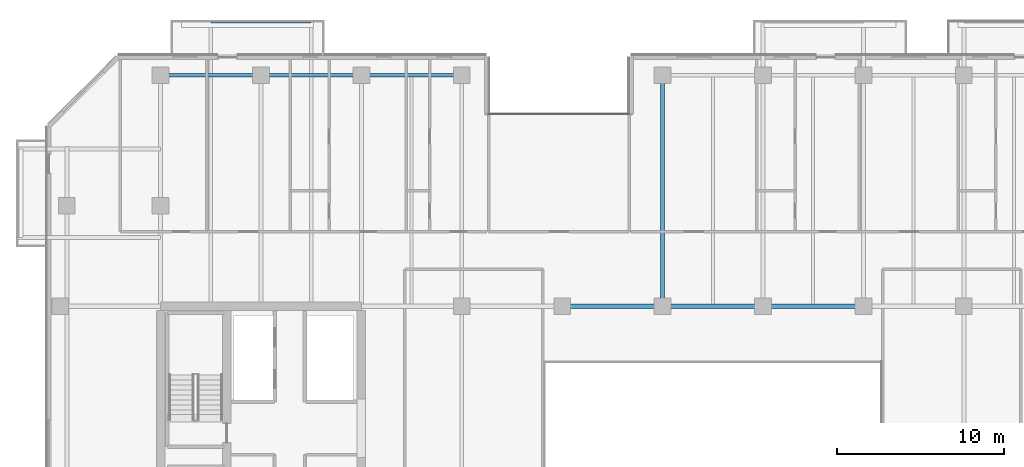
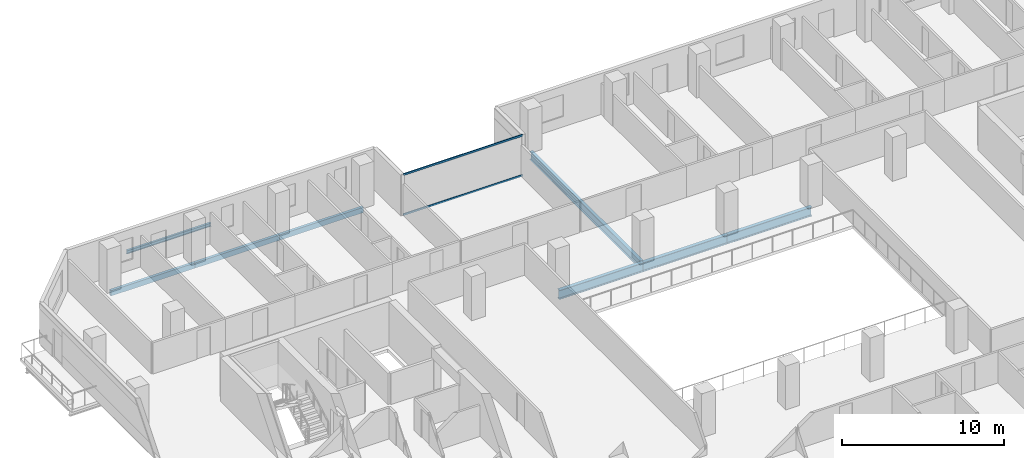
# One storey, part 7 of 23: 8 beams, 2 members, 1 element without a shape of its own.
"""IFC4 building model written with IfcOpenShell, lengths in metres."""

from ifc_helpers import new_model, si_unit, direction, frame, origin, origin_2d, place, context, subcontext, project, spatial, hollow_rectangle, i_section, extrude, material, layer, layer_set, material_profile, profile_set, type_object, element, aggregate, save


model = new_model("IFC4")

# Units and contexts
model_context = context("Model", 3, precision=1e-05, world=origin(), true_north=direction((0.0, 1.0)))
body_context = subcontext(model_context, "Body", "Model", "MODEL_VIEW")
ifc_project = project(units=[si_unit("LENGTHUNIT", "METRE"), si_unit("AREAUNIT", "SQUARE_METRE"), si_unit("VOLUMEUNIT", "CUBIC_METRE"), si_unit("PLANEANGLEUNIT", "RADIAN"), si_unit("MASSUNIT", "GRAM", prefix="KILO")], contexts=[model_context])

# Site, building, storey
site_placement = place(None, origin())
site = spatial("IfcSite", under=ifc_project, at=site_placement, CompositionType="ELEMENT")
building_placement = place(site_placement, origin())
building = spatial("IfcBuilding", under=site, at=building_placement, Name="Tanjung Sevakor Pilgrim Tower", CompositionType="ELEMENT")
storey_placement = place(building_placement, frame((0.0, 0.0, 101.969970703125)))
storey = spatial("IfcBuildingStorey", under=building, at=storey_placement, Name="L28", CompositionType="ELEMENT", Elevation=101.969970703125)

# Beams
ifc_material_1 = material(Name="Steel S355J2", Category="steel")
ifc_material_profile_1 = material_profile(ifc_material_1, i_section(OverallWidth=0.25439453125, OverallDepth=0.6875, WebThickness=0.01318359375, FlangeThickness=0.02099609375, FilletRadius=0.01513671875, at=origin_2d()))
ifc_profile_set_1 = profile_set([ifc_material_profile_1], Name="Steel S355J2")
beam_type_1 = type_object("IfcBeamType", Name="BM-B-G2-UB_686x254x152", PredefinedType="BEAM", material=ifc_profile_set_1)
for number, where, z_axis, x_axis, name in (
    (1, (48.0, 42.60009765625, -0.563720703125), (1.0, 0.0, 0.0), (0.0, 1.0, 0.0), "L28 Primary Floor Girder MAIN Y426-04"),
    (2, (54.0, 42.60009765625, -0.563720703125), (1.0, 0.0, 0.0), (0.0, 1.0, 0.0), "L28 Primary Floor Girder MAIN Y426-05"),
    (3, (60.0, 42.60009765625, -0.563720703125), (1.0, 0.0, 0.0), (0.0, 1.0, 0.0), "L28 Primary Floor Girder MAIN Y426-06"),
):
    element("IfcBeam", number, at=place(storey_placement, frame(where, z_axis=z_axis, x_axis=x_axis)), inside=storey, type_object=beam_type_1, Name=name, PredefinedType="BEAM", context=body_context, shape_type="SweptSolid", body=[
        extrude(i_section(OverallWidth=0.25439453125, OverallDepth=0.6875, WebThickness=0.01318359375, FlangeThickness=0.02099609375, FilletRadius=0.01513671875, at=origin_2d()), origin(), (0.0, 0.0, 1.0), 6.0),
    ])
ifc_material_2 = material(Name="Steel S355J2", Category="steel")
ifc_material_profile_2 = material_profile(ifc_material_2, i_section(OverallWidth=0.230224609375, OverallDepth=0.6171875, WebThickness=0.01318359375, FlangeThickness=0.022216796875, FilletRadius=0.0126953125, at=origin_2d()))
ifc_profile_set_2 = profile_set([ifc_material_profile_2], Name="Steel S355J2")
beam_type_2 = type_object("IfcBeamType", Name="BM-B-G3-UB_610x229x140", PredefinedType="BEAM", material=ifc_profile_set_2)
beam_1_placement = place(storey_placement, frame((54.0, 42.60009765625, -0.528564453125), z_axis=(0.0, 1.0, 0.0), x_axis=(-1.0, 0.0, 0.0)))
element("IfcBeam", 4, at=beam_1_placement, inside=storey, type_object=beam_type_2, Name="L28 MAIN Girder 013", PredefinedType="BEAM", context=body_context, shape_type="SweptSolid", body=[
    extrude(i_section(OverallWidth=0.230224609375, OverallDepth=0.6171875, WebThickness=0.01318359375, FlangeThickness=0.022216796875, FilletRadius=0.0126953125, at=origin_2d()), origin(), (0.0, 0.0, 1.0), 13.7998046875),
])
ifc_material_3 = material(Name="Steel S355J2", Category="steel")
ifc_material_profile_3 = material_profile(ifc_material_3, i_section(OverallWidth=0.146484375, OverallDepth=0.256103515625, WebThickness=0.00634765625, FlangeThickness=0.010986328125, FilletRadius=0.007568359375, at=origin_2d()))
ifc_profile_set_3 = profile_set([ifc_material_profile_3], Name="Steel S355J2")
beam_type_3 = type_object("IfcBeamType", Name="BM-B-J6-UB_254x146x37", PredefinedType="JOIST", material=ifc_profile_set_3)
beam_2_placement = place(storey_placement, frame((27.0, 59.580078125, -0.327880859375), z_axis=(1.0, 0.0, 0.0), x_axis=(0.0, 1.0, 0.0)))
element("IfcBeam", 5, at=beam_2_placement, inside=storey, type_object=beam_type_3, Name="L28 Balcony Rim Tie MAIN-N1", PredefinedType="JOIST", context=body_context, shape_type="SweptSolid", body=[
    extrude(i_section(OverallWidth=0.146484375, OverallDepth=0.256103515625, WebThickness=0.00634765625, FlangeThickness=0.010986328125, FilletRadius=0.007568359375, at=origin_2d()), origin(), (0.0, 0.0, 1.0), 6.0),
])
ifc_material_4 = material(Name="Steel S355J2", Category="steel")
ifc_material_profile_4 = material_profile(ifc_material_4, hollow_rectangle(XDim=0.199951171875, YDim=0.39990234375, WallThickness=0.01611328125, at=origin_2d()))
ifc_profile_set_4 = profile_set([ifc_material_profile_4], Name="Steel S355J2")
beam_type_4 = type_object("IfcBeamType", Name="BM-B-SP2-RHS_400x200x16", PredefinedType="SPANDREL", material=ifc_profile_set_4)
for number, where, z_axis, x_axis, name in (
    (6, (24.0, 56.39990234375, -0.419921875), (1.0, 0.0, 0.0), (0.0, 1.0, 0.0), "L28 Spandrel MAIN N-02"),
    (7, (30.0, 56.39990234375, -0.419921875), (1.0, 0.0, 0.0), (0.0, 1.0, 0.0), "L28 Spandrel MAIN N-04"),
    (8, (36.0, 56.39990234375, -0.419921875), (1.0, 0.0, 0.0), (0.0, 1.0, 0.0), "L28 Spandrel MAIN N-06"),
):
    element("IfcBeam", number, at=place(storey_placement, frame(where, z_axis=z_axis, x_axis=x_axis)), inside=storey, type_object=beam_type_4, Name=name, PredefinedType="SPANDREL", context=body_context, shape_type="SweptSolid", body=[
        extrude(hollow_rectangle(XDim=0.199951171875, YDim=0.39990234375, WallThickness=0.01611328125, at=origin_2d()), origin(), (0.0, 0.0, 1.0), 6.0),
    ])

# Curtain wall, members
ifc_material_5 = material(Name="Aluminium 6063-T6 and Low-E Glass", Category="aluminium")
ifc_layer = layer(ifc_material_5, 0.179931640625)
ifc_layer_set = layer_set([ifc_layer], Name="CW-SYS-CLEFT")
curtain_wall_type = type_object("IfcCurtainWallType", Name="CW-SYS-CLEFT", PredefinedType="NOTDEFINED", material=ifc_layer_set)
curtain_wall_placement = place(storey_placement, origin())
curtain_wall = element("IfcCurtainWall", 9, at=curtain_wall_placement, inside=storey, type_object=curtain_wall_type, Name="L28 Curtain Wall CW-CLF-L28-10", PredefinedType="NOTDEFINED")
ifc_material_6 = material(Name="Aluminium 6063-T6", Category="aluminium")
ifc_material_profile_5 = material_profile(ifc_material_6, hollow_rectangle(XDim=0.06494140625, YDim=0.139892578125, WallThickness=0.00390625, at=origin_2d()))
ifc_profile_set_5 = profile_set([ifc_material_profile_5], Name="Aluminium 6063-T6")
member_type = type_object("IfcMemberType", Name="TYPE-CWT-1", PredefinedType="USERDEFINED", material=ifc_profile_set_5)
member_1_placement = place(storey_placement, frame((52.050048828125, 54.074951171875, 0.032470703125), z_axis=(-1.0, 0.0, 0.0), x_axis=(0.0, -1.0, 0.0)))
member_1 = element("IfcMember", 10, at=member_1_placement, type_object=member_type, Name="CW-CLF transom 1.1", ObjectType="TRANSOM", PredefinedType="USERDEFINED", context=body_context, shape_type="SweptSolid", body=[
    extrude(hollow_rectangle(XDim=0.06494140625, YDim=0.139892578125, WallThickness=0.00390625, at=origin_2d()), origin(), (0.0, 0.0, 1.0), 8.5),
])
member_2_placement = place(storey_placement, frame((52.050048828125, 54.074951171875, 3.047607421875), z_axis=(-1.0, 0.0, 0.0), x_axis=(0.0, -1.0, 0.0)))
member_2 = element("IfcMember", 11, at=member_2_placement, type_object=member_type, Name="CW-CLF transom 1.2", ObjectType="TRANSOM", PredefinedType="USERDEFINED", context=body_context, shape_type="SweptSolid", body=[
    extrude(hollow_rectangle(XDim=0.06494140625, YDim=0.139892578125, WallThickness=0.00390625, at=origin_2d()), origin(), (0.0, 0.0, 1.0), 8.5),
])
aggregate(curtain_wall, [member_1, member_2])

save(model, "model.ifc")
